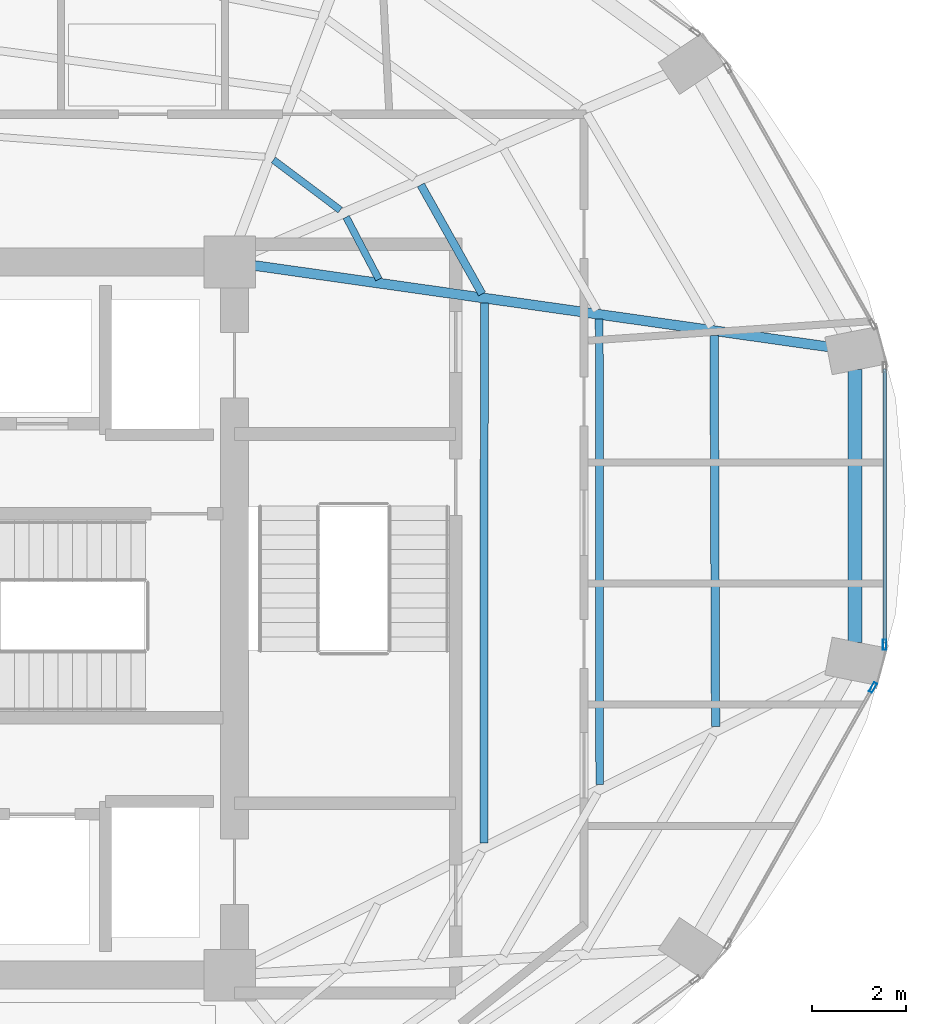
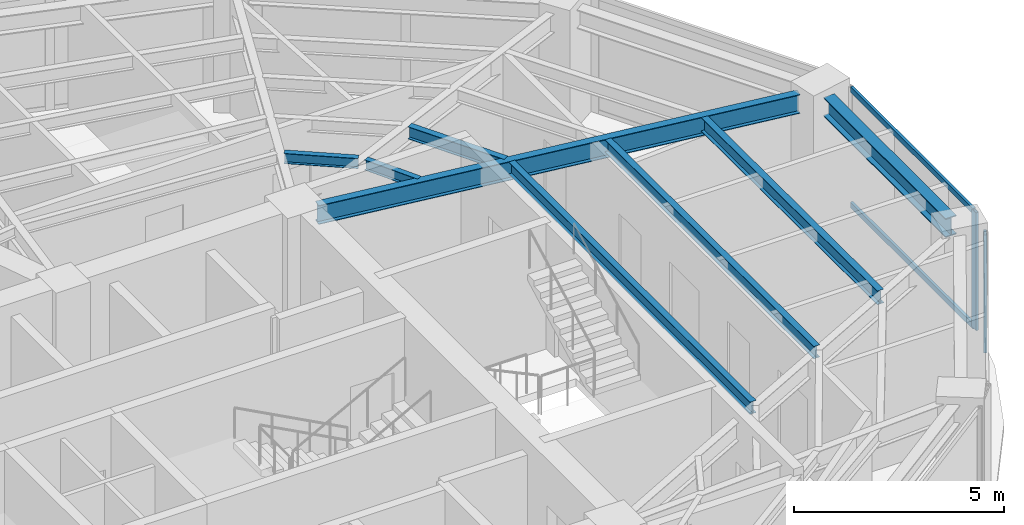
# One storey, part 10 of 20: 8 beams, 4 members, 2 elements without a shape of their own.
"""IFC4 building model written with IfcOpenShell, lengths in metres."""

from ifc_helpers import new_model, si_unit, direction, frame, origin, origin_2d, place, context, subcontext, project, spatial, hollow_rectangle, i_section, extrude, material, layer, layer_set, material_profile, profile_set, type_object, element, aggregate, save


model = new_model("IFC4")

# Units and contexts
model_context = context("Model", 3, precision=1e-05, world=origin(), true_north=direction((0.0, 1.0)))
body_context = subcontext(model_context, "Body", "Model", "MODEL_VIEW")
ifc_project = project(units=[si_unit("LENGTHUNIT", "METRE"), si_unit("AREAUNIT", "SQUARE_METRE"), si_unit("VOLUMEUNIT", "CUBIC_METRE"), si_unit("PLANEANGLEUNIT", "RADIAN"), si_unit("MASSUNIT", "GRAM", prefix="KILO")], contexts=[model_context])

# Site, building, storey
site_placement = place(None, origin())
site = spatial("IfcSite", under=ifc_project, at=site_placement, CompositionType="ELEMENT")
building_placement = place(site_placement, origin())
building = spatial("IfcBuilding", under=site, at=building_placement, Name="Lazwardi Medical Tower", CompositionType="ELEMENT")
storey_placement = place(building_placement, frame((0.0, 0.0, 160.176025390625)))
storey = spatial("IfcBuildingStorey", under=building, at=storey_placement, Name="L41", CompositionType="ELEMENT", Elevation=160.176025390625)

# Beams
ifc_material_1 = material(Name="Steel S355", Category="steel")
ifc_material_profile_1 = material_profile(ifc_material_1, i_section(OverallWidth=0.300048828125, OverallDepth=0.550048828125, WebThickness=0.014892578125, FlangeThickness=0.029052734375, at=origin_2d()), Name="HEB 550")
ifc_profile_set_1 = profile_set([ifc_material_profile_1], Name="Steel S355")
beam_type_1 = type_object("IfcBeamType", Name="BM-RB-Z3", PredefinedType="BEAM", material=ifc_profile_set_1)
beam_1_placement = place(storey_placement, frame((58.92578125, 27.48828125, 3.153076171875), z_axis=(0.0, 1.0, 0.0), x_axis=(-1.0, 0.0, 0.0)))
element("IfcBeam", 1, at=beam_1_placement, inside=storey, type_object=beam_type_1, Name="Ring beam RB-04 B04 L41", PredefinedType="BEAM", context=body_context, shape_type="SweptSolid", body=[
    extrude(i_section(OverallWidth=0.300048828125, OverallDepth=0.550048828125, WebThickness=0.014892578125, FlangeThickness=0.029052734375, at=origin_2d()), origin(), (0.0, 0.0, 1.0), 5.823486328125),
])
ifc_material_profile_2 = material_profile(ifc_material_1, i_section(OverallWidth=0.2099609375, OverallDepth=0.550048828125, WebThickness=0.010986328125, FlangeThickness=0.01708984375, at=origin_2d()), Name="IPE 550")
ifc_profile_set_2 = profile_set([ifc_material_profile_2], Name="Steel S355")
beam_type_2 = type_object("IfcBeamType", Name="BM-RG-W2", PredefinedType="BEAM", material=ifc_profile_set_2)
beam_2_placement = place(storey_placement, frame((58.371337890625, 33.790283203125, 3.153076171875), z_axis=(-0.99010958763, 0.140296131389, 0.0), x_axis=(-0.140296131389, -0.99010958763, 0.0)))
element("IfcBeam", 2, at=beam_2_placement, inside=storey, type_object=beam_type_2, Name="Radial girder RG-03 R05 L41", PredefinedType="BEAM", context=body_context, shape_type="SweptSolid", body=[
    extrude(i_section(OverallWidth=0.2099609375, OverallDepth=0.550048828125, WebThickness=0.010986328125, FlangeThickness=0.01708984375, at=origin_2d()), origin(), (0.0, 0.0, 1.0), 12.364013671875),
])
ifc_material_profile_3 = material_profile(ifc_material_1, i_section(OverallWidth=0.179931640625, OverallDepth=0.39990234375, WebThickness=0.008544921875, FlangeThickness=0.013427734375, at=origin_2d()), Name="IPE 400")
ifc_profile_set_3 = profile_set([ifc_material_profile_3], Name="Steel S355")
beam_type_3 = type_object("IfcBeamType", Name="BM-SJ-01", PredefinedType="JOIST", material=ifc_profile_set_3)
beam_3_placement = place(storey_placement, frame((55.95556640625, 25.69775390625, 3.22802734375), z_axis=(-0.003864366017, 0.99999253331, 0.0), x_axis=(-0.99999253331, -0.003864366017, 0.0)))
element("IfcBeam", 3, at=beam_3_placement, inside=storey, type_object=beam_type_3, Name="Secondary joist SJ-01 R1 B04 L41", PredefinedType="JOIST", context=body_context, shape_type="SweptSolid", body=[
    extrude(i_section(OverallWidth=0.179931640625, OverallDepth=0.39990234375, WebThickness=0.008544921875, FlangeThickness=0.013427734375, at=origin_2d()), origin(), (0.0, 0.0, 1.0), 8.33935546875),
])
ifc_material_profile_4 = material_profile(ifc_material_1, i_section(OverallWidth=0.169921875, OverallDepth=0.360107421875, WebThickness=0.008056640625, FlangeThickness=0.0126953125, at=origin_2d()), Name="IPE 360")
ifc_profile_set_4 = profile_set([ifc_material_profile_4], Name="Steel S355")
beam_type_4 = type_object("IfcBeamType", Name="BM-SJ-02", PredefinedType="JOIST", material=ifc_profile_set_4)
beam_4_placement = place(storey_placement, frame((53.486328125, 24.458251953125, 3.248046875), z_axis=(-0.001156040156, 0.999999331785, 0.0), x_axis=(-0.999999331785, -0.001156040156, 0.0)))
element("IfcBeam", 4, at=beam_4_placement, inside=storey, type_object=beam_type_4, Name="Secondary joist SJ-02 R2 B04 L41", PredefinedType="JOIST", context=body_context, shape_type="SweptSolid", body=[
    extrude(i_section(OverallWidth=0.169921875, OverallDepth=0.360107421875, WebThickness=0.008056640625, FlangeThickness=0.0126953125, at=origin_2d()), origin(), (0.0, 0.0, 1.0), 9.92578125),
])
beam_5_placement = place(storey_placement, frame((51.01708984375, 23.21875, 3.248046875), z_axis=(0.000805852776, 0.999999675301, 0.0), x_axis=(-0.999999675301, 0.000805852776, 0.0)))
element("IfcBeam", 5, at=beam_5_placement, inside=storey, type_object=beam_type_4, Name="Secondary joist SJ-02 R3 B04 L41", PredefinedType="JOIST", context=body_context, shape_type="SweptSolid", body=[
    extrude(i_section(OverallWidth=0.169921875, OverallDepth=0.360107421875, WebThickness=0.008056640625, FlangeThickness=0.0126953125, at=origin_2d()), origin(), (0.0, 0.0, 1.0), 11.512451171875),
])
beam_6_placement = place(storey_placement, frame((50.977294921875, 34.918212890625, 3.248046875), z_axis=(-0.489408945026, 0.872054404569, 0.0), x_axis=(-0.872054404569, -0.489408945026, 0.0)))
element("IfcBeam", 6, at=beam_6_placement, inside=storey, type_object=beam_type_4, Name="Secondary joist SJ-02 R3 B05 L41", PredefinedType="JOIST", context=body_context, shape_type="SweptSolid", body=[
    extrude(i_section(OverallWidth=0.169921875, OverallDepth=0.360107421875, WebThickness=0.008056640625, FlangeThickness=0.0126953125, at=origin_2d()), origin(), (0.0, 0.0, 1.0), 2.666259765625),
])
ifc_material_profile_5 = material_profile(ifc_material_1, i_section(OverallWidth=0.14990234375, OverallDepth=0.300048828125, WebThickness=0.007080078125, FlangeThickness=0.0107421875, at=origin_2d()), Name="IPE 300")
ifc_profile_set_5 = profile_set([ifc_material_profile_5], Name="Steel S355")
beam_type_5 = type_object("IfcBeamType", Name="BM-SJ-03", PredefinedType="JOIST", material=ifc_profile_set_5)
beam_7_placement = place(storey_placement, frame((48.7763671875, 35.231689453125, 3.278076171875), z_axis=(-0.464469748171, 0.885588986513, 0.0), x_axis=(-0.885588986513, -0.464469748171, 0.0)))
element("IfcBeam", 7, at=beam_7_placement, inside=storey, type_object=beam_type_5, Name="Secondary joist SJ-03 R4 B05 L41", PredefinedType="JOIST", context=body_context, shape_type="SweptSolid", body=[
    extrude(i_section(OverallWidth=0.14990234375, OverallDepth=0.300048828125, WebThickness=0.007080078125, FlangeThickness=0.0107421875, at=origin_2d()), origin(), (0.0, 0.0, 1.0), 1.498046875),
])
beam_8_placement = place(storey_placement, frame((47.9541015625, 36.70703125, 3.278076171875), z_axis=(-0.799884834751, 0.600153522972, 0.0), x_axis=(-0.600153522972, -0.799884834751, 0.0)))
element("IfcBeam", 8, at=beam_8_placement, inside=storey, type_object=beam_type_5, Name="Secondary joist SJ-03 R4 B06 L41", PredefinedType="JOIST", context=body_context, shape_type="SweptSolid", body=[
    extrude(i_section(OverallWidth=0.14990234375, OverallDepth=0.300048828125, WebThickness=0.007080078125, FlangeThickness=0.0107421875, at=origin_2d()), origin(), (0.0, 0.0, 1.0), 1.781005859375),
])

# Curtain wall, member
ifc_material_2 = material(Name="Anodised bronze aluminium and solar control glazing", Category="aluminium")
ifc_layer = layer(ifc_material_2, 0.195068359375)
ifc_layer_set = layer_set([ifc_layer], Name="Anodised bronze aluminium and solar control glazing")
curtain_wall_type = type_object("IfcCurtainWallType", Name="CW-SYS-03", PredefinedType="NOTDEFINED", material=ifc_layer_set)
curtain_wall_1_placement = place(storey_placement, origin())
curtain_wall_1 = element("IfcCurtainWall", 9, at=curtain_wall_1_placement, inside=storey, type_object=curtain_wall_type, Name="L41 Unitised bronze curtain wall CW-03", PredefinedType="NOTDEFINED")
ifc_material_3 = material(Name="Anodised bronze aluminium", Category="aluminium")
ifc_material_profile_6 = material_profile(ifc_material_3, hollow_rectangle(XDim=0.074951171875, YDim=0.219970703125, WallThickness=0.00390625, at=origin_2d()), Name="ALU-MULLION 220x75x4")
ifc_profile_set_6 = profile_set([ifc_material_profile_6], Name="Anodised bronze aluminium")
member_type_1 = type_object("IfcMemberType", Name="CW-MUL-01", PredefinedType="MULLION", material=ifc_profile_set_6)
member_1_placement = place(storey_placement, frame((59.31103515625, 26.53271484375, 0.0), z_axis=(0.0, 0.0, 1.0), x_axis=(-0.870418989303, 0.492311672683, 0.0)))
member_1 = element("IfcMember", 10, at=member_1_placement, type_object=member_type_1, Name="CW-03 mullion 2", PredefinedType="MULLION", context=body_context, shape_type="SweptSolid", body=[
    extrude(hollow_rectangle(XDim=0.074951171875, YDim=0.219970703125, WallThickness=0.00390625, at=origin_2d()), origin(), (0.0, 0.0, 1.0), 3.427978515625),
])
aggregate(curtain_wall_1, [member_1])

# Curtain wall, members
curtain_wall_2_placement = place(storey_placement, origin())
curtain_wall_2 = element("IfcCurtainWall", 11, at=curtain_wall_2_placement, inside=storey, type_object=curtain_wall_type, Name="L41 Unitised bronze curtain wall CW-03", PredefinedType="NOTDEFINED")
member_2_placement = place(storey_placement, frame((59.5576171875, 27.442138671875, 0.0), z_axis=(0.0, 0.0, 1.0), x_axis=(-1.0, 0.0, 0.0)))
member_2 = element("IfcMember", 12, at=member_2_placement, type_object=member_type_1, Name="CW-03 mullion 1", PredefinedType="MULLION", context=body_context, shape_type="SweptSolid", body=[
    extrude(hollow_rectangle(XDim=0.074951171875, YDim=0.219970703125, WallThickness=0.00390625, at=origin_2d()), origin(), (0.0, 0.0, 1.0), 3.427978515625),
])
ifc_material_profile_7 = material_profile(ifc_material_3, hollow_rectangle(XDim=0.074951171875, YDim=0.159912109375, WallThickness=0.00390625, at=origin_2d()), Name="ALU-TRANSOM 160x75x4")
ifc_profile_set_7 = profile_set([ifc_material_profile_7], Name="Anodised bronze aluminium")
member_type_2 = type_object("IfcMemberType", Name="CW-TRN-01", PredefinedType="USERDEFINED", material=ifc_profile_set_7)
member_3_placement = place(storey_placement, frame((59.5576171875, 27.4794921875, 0.037353515625), z_axis=(0.0, 1.0, 0.0), x_axis=(-1.0, 0.0, 0.0)))
member_3 = element("IfcMember", 13, at=member_3_placement, type_object=member_type_2, Name="CW-03 transom 1.1", ObjectType="TRANSOM", PredefinedType="USERDEFINED", context=body_context, shape_type="SweptSolid", body=[
    extrude(hollow_rectangle(XDim=0.074951171875, YDim=0.159912109375, WallThickness=0.00390625, at=origin_2d()), origin(), (0.0, 0.0, 1.0), 5.8408203125),
])
member_4_placement = place(storey_placement, frame((59.5576171875, 27.4794921875, 3.390380859375), z_axis=(0.0, 1.0, 0.0), x_axis=(-1.0, 0.0, 0.0)))
member_4 = element("IfcMember", 14, at=member_4_placement, type_object=member_type_2, Name="CW-03 transom 1.2", ObjectType="TRANSOM", PredefinedType="USERDEFINED", context=body_context, shape_type="SweptSolid", body=[
    extrude(hollow_rectangle(XDim=0.074951171875, YDim=0.159912109375, WallThickness=0.00390625, at=origin_2d()), origin(), (0.0, 0.0, 1.0), 5.8408203125),
])
aggregate(curtain_wall_2, [member_2, member_3, member_4])

save(model, "model.ifc")
